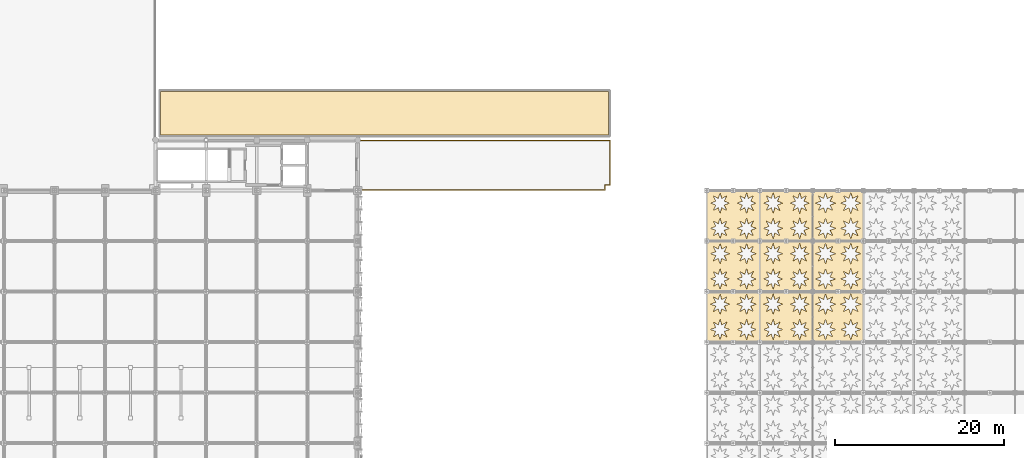
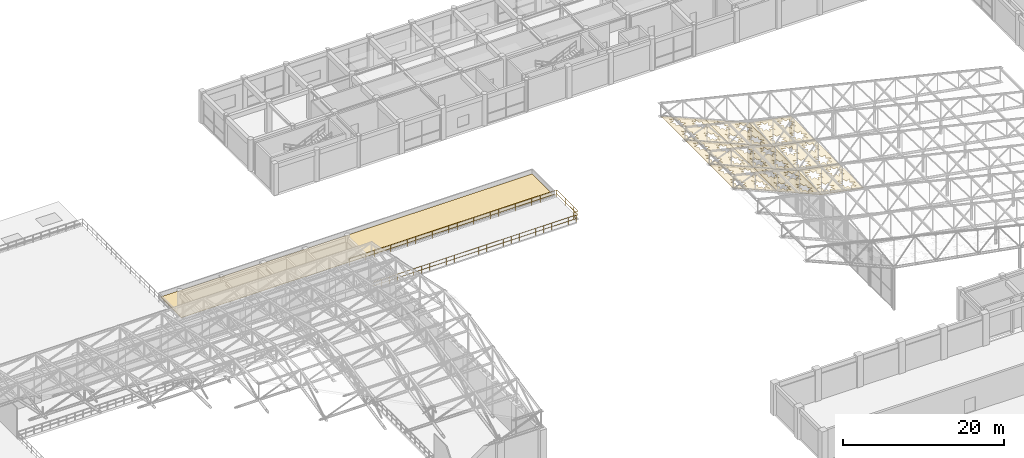
# One storey, part 109 of 112: 10 coverings, 1 railing.
"""IFC4 building model written with IfcOpenShell, lengths in metres."""

from ifc_helpers import new_model, si_unit, direction, frame, origin, origin_2d, place, context, subcontext, project, spatial, polyline, circle, outline, extrude, material, layer, layer_set, type_object, element, save


model = new_model("IFC4")

# Units and contexts
model_context = context("Model", 3, precision=1e-05, world=origin(), true_north=direction((0.0, 1.0)))
body_context = subcontext(model_context, "Body", "Model", "MODEL_VIEW")
ifc_project = project(units=[si_unit("LENGTHUNIT", "METRE"), si_unit("AREAUNIT", "SQUARE_METRE"), si_unit("VOLUMEUNIT", "CUBIC_METRE"), si_unit("PLANEANGLEUNIT", "RADIAN"), si_unit("MASSUNIT", "GRAM", prefix="KILO"), si_unit("THERMODYNAMICTEMPERATUREUNIT", "KELVIN"), si_unit("POWERUNIT", "WATT")], contexts=[model_context])

# Site, building, storey
site_placement = place(None, origin())
site = spatial("IfcSite", under=ifc_project, at=site_placement, CompositionType="ELEMENT")
building_placement = place(site_placement, origin())
building = spatial("IfcBuilding", under=site, at=building_placement, Name="Phaisarnlok Congress Hotel", CompositionType="ELEMENT")
storey_placement = place(building_placement, frame((0.0, 0.0, 19.800048828125)))
storey = spatial("IfcBuildingStorey", under=building, at=storey_placement, Name="L04", CompositionType="ELEMENT", Elevation=19.800048828125)

# Coverings
ifc_material_1 = material(Name="TPO Waterproofing Membrane & Rigid PIR Insulation", Category="other")
ifc_layer_1 = layer(ifc_material_1, 0.050048828125, Name="TPO Waterproofing Membrane & Rigid PIR Insulation")
ifc_layer_set_1 = layer_set([ifc_layer_1], Name="TPO Waterproofing Membrane & Rigid PIR Insulation")
covering_type_1 = type_object("IfcCoveringType", Name="COV-ROOF-MEMB", PredefinedType="ROOFING", material=ifc_layer_set_1)
covering_1_placement = place(storey_placement, origin())
element("IfcCovering", 1, at=covering_1_placement, inside=storey, type_object=covering_type_1, Name="Podium roof waterproofing membrane RF-01 (L04 pod_min_n)", PredefinedType="ROOFING", context=body_context, shape_type="SweptSolid", body=[
    extrude(outline(polyline([(42.590087890625, 90.590087890625), (95.75, 90.590087890625), (95.75, 95.75), (42.590087890625, 95.75), (42.590087890625, 90.590087890625)])), origin(), (0.0, 0.0, 1.0), 0.050048828125),
])
ifc_material_2 = material(Name="Perforated Acoustic Aluminium Soffit Panel", Category="aluminium")
ifc_layer_2 = layer(ifc_material_2, 0.044921875, Name="Perforated Acoustic Aluminium Soffit Panel")
ifc_layer_set_2 = layer_set([ifc_layer_2], Name="Perforated Acoustic Aluminium Soffit Panel")
covering_type_2 = type_object("IfcCoveringType", Name="COV-SOFFIT-STAR", PredefinedType="CLADDING", material=ifc_layer_set_2)
covering_2_placement = place(storey_placement, frame((126.0, 66.0, 5.353271484375), z_axis=(0.175030745743, 0.0, 0.984562968044), x_axis=(0.0, 1.0, 0.0)))
element("IfcCovering", 2, at=covering_2_placement, inside=storey, type_object=covering_type_2, Name="Cloister wing roof star-pierced acoustic soffit panel CL-01", PredefinedType="CLADDING", context=body_context, shape_type="SweptSolid", body=[
    extrude(outline(polyline([(0.0, 0.0), (6.0, 0.0), (6.0, 6.094074421585321), (0.0, 6.094074421585321), (0.0, 0.0)]), holes=[polyline([(2.0455, 1.2976), (2.3697, 0.6538), (1.7259, 0.9781), (1.5, 0.2935), (1.2741, 0.9781), (0.6303, 0.6538), (0.9545, 1.2976), (0.27, 1.5235), (0.9545, 1.7495), (0.6303, 2.3933), (1.2741, 2.069), (1.5, 2.7535), (1.7259, 2.069), (2.3697, 2.3933), (2.0455, 1.7495), (2.73, 1.5235), (2.0455, 1.2976)]), polyline([(2.0455, 4.3446), (2.3697, 3.7008), (1.7259, 4.0251), (1.5, 3.3406), (1.2741, 4.0251), (0.6303, 3.7008), (0.9545, 4.3446), (0.27, 4.5706), (0.9545, 4.7965), (0.6303, 5.4403), (1.2741, 5.116), (1.5, 5.8006), (1.7259, 5.116), (2.3697, 5.4403), (2.0455, 4.7965), (2.73, 4.5706), (2.0455, 4.3446)]), polyline([(5.0455, 1.2976), (5.3697, 0.6538), (4.7259, 0.9781), (4.5, 0.2935), (4.2741, 0.9781), (3.6303, 0.6538), (3.9545, 1.2976), (3.27, 1.5235), (3.9545, 1.7495), (3.6303, 2.3933), (4.2741, 2.069), (4.5, 2.7535), (4.7259, 2.069), (5.3697, 2.3933), (5.0455, 1.7495), (5.73, 1.5235), (5.0455, 1.2976)]), polyline([(5.0455, 4.3446), (5.3697, 3.7008), (4.7259, 4.0251), (4.5, 3.3406), (4.2741, 4.0251), (3.6303, 3.7008), (3.9545, 4.3446), (3.27, 4.5706), (3.9545, 4.7965), (3.6303, 5.4403), (4.2741, 5.116), (4.5, 5.8006), (4.7259, 5.116), (5.3697, 5.4403), (5.0455, 4.7965), (5.73, 4.5706), (5.0455, 4.3446)])]), origin(), (0.0, 0.0, 1.0), 0.044921875),
])
covering_3_placement = place(storey_placement, frame((120.0, 66.0, 6.419921875), z_axis=(0.393910700868, 0.0, 0.919148714704), x_axis=(0.0, 1.0, 0.0)))
element("IfcCovering", 3, at=covering_3_placement, inside=storey, type_object=covering_type_2, Name="Cloister wing roof star-pierced acoustic soffit panel CL-01", PredefinedType="CLADDING", context=body_context, shape_type="SweptSolid", body=[
    extrude(outline(polyline([(0.0, 0.0), (6.0, 0.0), (6.0, 6.854221441365048), (0.0, 6.854221441365048), (0.0, 0.0)]), holes=[polyline([(2.0455, 1.4876), (2.3697, 0.8438), (1.7259, 1.1681), (1.5, 0.4835), (1.2741, 1.1681), (0.6303, 0.8438), (0.9545, 1.4876), (0.27, 1.7135), (0.9545, 1.9395), (0.6303, 2.5833), (1.2741, 2.259), (1.5, 2.9435), (1.7259, 2.259), (2.3697, 2.5833), (2.0455, 1.9395), (2.73, 1.7135), (2.0455, 1.4876)]), polyline([(2.0455, 4.9147), (2.3697, 4.2709), (1.7259, 4.5952), (1.5, 3.9106), (1.2741, 4.5952), (0.6303, 4.2709), (0.9545, 4.9147), (0.27, 5.1406), (0.9545, 5.3666), (0.6303, 6.0104), (1.2741, 5.6861), (1.5, 6.3706), (1.7259, 5.6861), (2.3697, 6.0104), (2.0455, 5.3666), (2.73, 5.1406), (2.0455, 4.9147)]), polyline([(5.0455, 1.4876), (5.3697, 0.8438), (4.7259, 1.1681), (4.5, 0.4835), (4.2741, 1.1681), (3.6303, 0.8438), (3.9545, 1.4876), (3.27, 1.7135), (3.9545, 1.9395), (3.6303, 2.5833), (4.2741, 2.259), (4.5, 2.9435), (4.7259, 2.259), (5.3697, 2.5833), (5.0455, 1.9395), (5.73, 1.7135), (5.0455, 1.4876)]), polyline([(5.0455, 4.9147), (5.3697, 4.2709), (4.7259, 4.5952), (4.5, 3.9106), (4.2741, 4.5952), (3.6303, 4.2709), (3.9545, 4.9147), (3.27, 5.1406), (3.9545, 5.3666), (3.6303, 6.0104), (4.2741, 5.6861), (4.5, 6.3706), (4.7259, 5.6861), (5.3697, 6.0104), (5.0455, 5.3666), (5.73, 5.1406), (5.0455, 4.9147)])]), origin(), (0.0, 0.0, 1.0), 0.044921875),
])
covering_4_placement = place(storey_placement, frame((113.699951171875, 66.0, 9.119873046875), z_axis=(0.393940792404, 0.0, 0.919135818081), x_axis=(0.0, 1.0, 0.0)))
element("IfcCovering", 4, at=covering_4_placement, inside=storey, type_object=covering_type_2, Name="Cloister wing roof star-pierced acoustic soffit panel CL-01", PredefinedType="CLADDING", context=body_context, shape_type="SweptSolid", body=[
    extrude(outline(polyline([(0.0, 0.0), (6.0, 0.0), (6.0, 6.854317614643062), (0.0, 6.854317614643062), (0.0, 0.0)]), holes=[polyline([(2.0455, 1.4876), (2.3697, 0.8438), (1.7259, 1.1681), (1.5, 0.4835), (1.2741, 1.1681), (0.6303, 0.8438), (0.9545, 1.4876), (0.27, 1.7135), (0.9545, 1.9395), (0.6303, 2.5833), (1.2741, 2.259), (1.5, 2.9435), (1.7259, 2.259), (2.3697, 2.5833), (2.0455, 1.9395), (2.73, 1.7135), (2.0455, 1.4876)]), polyline([(2.0455, 4.9147), (2.3697, 4.2709), (1.7259, 4.5952), (1.5, 3.9106), (1.2741, 4.5952), (0.6303, 4.2709), (0.9545, 4.9147), (0.27, 5.1406), (0.9545, 5.3666), (0.6303, 6.0104), (1.2741, 5.6861), (1.5, 6.3706), (1.7259, 5.6861), (2.3697, 6.0104), (2.0455, 5.3666), (2.73, 5.1406), (2.0455, 4.9147)]), polyline([(5.0455, 1.4876), (5.3697, 0.8438), (4.7259, 1.1681), (4.5, 0.4835), (4.2741, 1.1681), (3.6303, 0.8438), (3.9545, 1.4876), (3.27, 1.7135), (3.9545, 1.9395), (3.6303, 2.5833), (4.2741, 2.259), (4.5, 2.9435), (4.7259, 2.259), (5.3697, 2.5833), (5.0455, 1.9395), (5.73, 1.7135), (5.0455, 1.4876)]), polyline([(5.0455, 4.9147), (5.3697, 4.2709), (4.7259, 4.5952), (4.5, 3.9106), (4.2741, 4.5952), (3.6303, 4.2709), (3.9545, 4.9147), (3.27, 5.1406), (3.9545, 5.3666), (3.6303, 6.0104), (4.2741, 5.6861), (4.5, 6.3706), (4.7259, 5.6861), (5.3697, 6.0104), (5.0455, 5.3666), (5.73, 5.1406), (5.0455, 4.9147)])]), origin(), (0.0, 0.0, 1.0), 0.044921875),
])
covering_5_placement = place(storey_placement, frame((126.0, 72.0, 5.353271484375), z_axis=(0.175030745743, 0.0, 0.984562968044), x_axis=(0.0, 1.0, 0.0)))
element("IfcCovering", 5, at=covering_5_placement, inside=storey, type_object=covering_type_2, Name="Cloister wing roof star-pierced acoustic soffit panel CL-01", PredefinedType="CLADDING", context=body_context, shape_type="SweptSolid", body=[
    extrude(outline(polyline([(0.0, 0.0), (6.0, 0.0), (6.0, 6.094074421585321), (0.0, 6.094074421585321), (0.0, 0.0)]), holes=[polyline([(2.0455, 1.2976), (2.3697, 0.6538), (1.7259, 0.9781), (1.5, 0.2935), (1.2741, 0.9781), (0.6303, 0.6538), (0.9545, 1.2976), (0.27, 1.5235), (0.9545, 1.7495), (0.6303, 2.3933), (1.2741, 2.069), (1.5, 2.7535), (1.7259, 2.069), (2.3697, 2.3933), (2.0455, 1.7495), (2.73, 1.5235), (2.0455, 1.2976)]), polyline([(2.0455, 4.3446), (2.3697, 3.7008), (1.7259, 4.0251), (1.5, 3.3406), (1.2741, 4.0251), (0.6303, 3.7008), (0.9545, 4.3446), (0.27, 4.5706), (0.9545, 4.7965), (0.6303, 5.4403), (1.2741, 5.116), (1.5, 5.8006), (1.7259, 5.116), (2.3697, 5.4403), (2.0455, 4.7965), (2.73, 4.5706), (2.0455, 4.3446)]), polyline([(5.0455, 1.2976), (5.3697, 0.6538), (4.7259, 0.9781), (4.5, 0.2935), (4.2741, 0.9781), (3.6303, 0.6538), (3.9545, 1.2976), (3.27, 1.5235), (3.9545, 1.7495), (3.6303, 2.3933), (4.2741, 2.069), (4.5, 2.7535), (4.7259, 2.069), (5.3697, 2.3933), (5.0455, 1.7495), (5.73, 1.5235), (5.0455, 1.2976)]), polyline([(5.0455, 4.3446), (5.3697, 3.7008), (4.7259, 4.0251), (4.5, 3.3406), (4.2741, 4.0251), (3.6303, 3.7008), (3.9545, 4.3446), (3.27, 4.5706), (3.9545, 4.7965), (3.6303, 5.4403), (4.2741, 5.116), (4.5, 5.8006), (4.7259, 5.116), (5.3697, 5.4403), (5.0455, 4.7965), (5.73, 4.5706), (5.0455, 4.3446)])]), origin(), (0.0, 0.0, 1.0), 0.044921875),
])
covering_6_placement = place(storey_placement, frame((120.0, 72.0, 6.419921875), z_axis=(0.393910700868, 0.0, 0.919148714704), x_axis=(0.0, 1.0, 0.0)))
element("IfcCovering", 6, at=covering_6_placement, inside=storey, type_object=covering_type_2, Name="Cloister wing roof star-pierced acoustic soffit panel CL-01", PredefinedType="CLADDING", context=body_context, shape_type="SweptSolid", body=[
    extrude(outline(polyline([(0.0, 0.0), (6.0, 0.0), (6.0, 6.854221441365048), (0.0, 6.854221441365048), (0.0, 0.0)]), holes=[polyline([(2.0455, 1.4876), (2.3697, 0.8438), (1.7259, 1.1681), (1.5, 0.4835), (1.2741, 1.1681), (0.6303, 0.8438), (0.9545, 1.4876), (0.27, 1.7135), (0.9545, 1.9395), (0.6303, 2.5833), (1.2741, 2.259), (1.5, 2.9435), (1.7259, 2.259), (2.3697, 2.5833), (2.0455, 1.9395), (2.73, 1.7135), (2.0455, 1.4876)]), polyline([(2.0455, 4.9147), (2.3697, 4.2709), (1.7259, 4.5952), (1.5, 3.9106), (1.2741, 4.5952), (0.6303, 4.2709), (0.9545, 4.9147), (0.27, 5.1406), (0.9545, 5.3666), (0.6303, 6.0104), (1.2741, 5.6861), (1.5, 6.3706), (1.7259, 5.6861), (2.3697, 6.0104), (2.0455, 5.3666), (2.73, 5.1406), (2.0455, 4.9147)]), polyline([(5.0455, 1.4876), (5.3697, 0.8438), (4.7259, 1.1681), (4.5, 0.4835), (4.2741, 1.1681), (3.6303, 0.8438), (3.9545, 1.4876), (3.27, 1.7135), (3.9545, 1.9395), (3.6303, 2.5833), (4.2741, 2.259), (4.5, 2.9435), (4.7259, 2.259), (5.3697, 2.5833), (5.0455, 1.9395), (5.73, 1.7135), (5.0455, 1.4876)]), polyline([(5.0455, 4.9147), (5.3697, 4.2709), (4.7259, 4.5952), (4.5, 3.9106), (4.2741, 4.5952), (3.6303, 4.2709), (3.9545, 4.9147), (3.27, 5.1406), (3.9545, 5.3666), (3.6303, 6.0104), (4.2741, 5.6861), (4.5, 6.3706), (4.7259, 5.6861), (5.3697, 6.0104), (5.0455, 5.3666), (5.73, 5.1406), (5.0455, 4.9147)])]), origin(), (0.0, 0.0, 1.0), 0.044921875),
])
covering_7_placement = place(storey_placement, frame((113.699951171875, 72.0, 9.119873046875), z_axis=(0.393940792404, 0.0, 0.919135818081), x_axis=(0.0, 1.0, 0.0)))
element("IfcCovering", 7, at=covering_7_placement, inside=storey, type_object=covering_type_2, Name="Cloister wing roof star-pierced acoustic soffit panel CL-01", PredefinedType="CLADDING", context=body_context, shape_type="SweptSolid", body=[
    extrude(outline(polyline([(0.0, 0.0), (6.0, 0.0), (6.0, 6.854317614643062), (0.0, 6.854317614643062), (0.0, 0.0)]), holes=[polyline([(2.0455, 1.4876), (2.3697, 0.8438), (1.7259, 1.1681), (1.5, 0.4835), (1.2741, 1.1681), (0.6303, 0.8438), (0.9545, 1.4876), (0.27, 1.7135), (0.9545, 1.9395), (0.6303, 2.5833), (1.2741, 2.259), (1.5, 2.9435), (1.7259, 2.259), (2.3697, 2.5833), (2.0455, 1.9395), (2.73, 1.7135), (2.0455, 1.4876)]), polyline([(2.0455, 4.9147), (2.3697, 4.2709), (1.7259, 4.5952), (1.5, 3.9106), (1.2741, 4.5952), (0.6303, 4.2709), (0.9545, 4.9147), (0.27, 5.1406), (0.9545, 5.3666), (0.6303, 6.0104), (1.2741, 5.6861), (1.5, 6.3706), (1.7259, 5.6861), (2.3697, 6.0104), (2.0455, 5.3666), (2.73, 5.1406), (2.0455, 4.9147)]), polyline([(5.0455, 1.4876), (5.3697, 0.8438), (4.7259, 1.1681), (4.5, 0.4835), (4.2741, 1.1681), (3.6303, 0.8438), (3.9545, 1.4876), (3.27, 1.7135), (3.9545, 1.9395), (3.6303, 2.5833), (4.2741, 2.259), (4.5, 2.9435), (4.7259, 2.259), (5.3697, 2.5833), (5.0455, 1.9395), (5.73, 1.7135), (5.0455, 1.4876)]), polyline([(5.0455, 4.9147), (5.3697, 4.2709), (4.7259, 4.5952), (4.5, 3.9106), (4.2741, 4.5952), (3.6303, 4.2709), (3.9545, 4.9147), (3.27, 5.1406), (3.9545, 5.3666), (3.6303, 6.0104), (4.2741, 5.6861), (4.5, 6.3706), (4.7259, 5.6861), (5.3697, 6.0104), (5.0455, 5.3666), (5.73, 5.1406), (5.0455, 4.9147)])]), origin(), (0.0, 0.0, 1.0), 0.044921875),
])
covering_8_placement = place(storey_placement, frame((126.0, 78.0, 5.353271484375), z_axis=(0.175030745743, 0.0, 0.984562968044), x_axis=(0.0, 1.0, 0.0)))
element("IfcCovering", 8, at=covering_8_placement, inside=storey, type_object=covering_type_2, Name="Cloister wing roof star-pierced acoustic soffit panel CL-01", PredefinedType="CLADDING", context=body_context, shape_type="SweptSolid", body=[
    extrude(outline(polyline([(0.0, 0.0), (6.0, 0.0), (6.0, 6.094074421585321), (0.0, 6.094074421585321), (0.0, 0.0)]), holes=[polyline([(2.0455, 1.2976), (2.3697, 0.6538), (1.7259, 0.9781), (1.5, 0.2935), (1.2741, 0.9781), (0.6303, 0.6538), (0.9545, 1.2976), (0.27, 1.5235), (0.9545, 1.7495), (0.6303, 2.3933), (1.2741, 2.069), (1.5, 2.7535), (1.7259, 2.069), (2.3697, 2.3933), (2.0455, 1.7495), (2.73, 1.5235), (2.0455, 1.2976)]), polyline([(2.0455, 4.3446), (2.3697, 3.7008), (1.7259, 4.0251), (1.5, 3.3406), (1.2741, 4.0251), (0.6303, 3.7008), (0.9545, 4.3446), (0.27, 4.5706), (0.9545, 4.7965), (0.6303, 5.4403), (1.2741, 5.116), (1.5, 5.8006), (1.7259, 5.116), (2.3697, 5.4403), (2.0455, 4.7965), (2.73, 4.5706), (2.0455, 4.3446)]), polyline([(5.0455, 1.2976), (5.3697, 0.6538), (4.7259, 0.9781), (4.5, 0.2935), (4.2741, 0.9781), (3.6303, 0.6538), (3.9545, 1.2976), (3.27, 1.5235), (3.9545, 1.7495), (3.6303, 2.3933), (4.2741, 2.069), (4.5, 2.7535), (4.7259, 2.069), (5.3697, 2.3933), (5.0455, 1.7495), (5.73, 1.5235), (5.0455, 1.2976)]), polyline([(5.0455, 4.3446), (5.3697, 3.7008), (4.7259, 4.0251), (4.5, 3.3406), (4.2741, 4.0251), (3.6303, 3.7008), (3.9545, 4.3446), (3.27, 4.5706), (3.9545, 4.7965), (3.6303, 5.4403), (4.2741, 5.116), (4.5, 5.8006), (4.7259, 5.116), (5.3697, 5.4403), (5.0455, 4.7965), (5.73, 4.5706), (5.0455, 4.3446)])]), origin(), (0.0, 0.0, 1.0), 0.044921875),
])
covering_9_placement = place(storey_placement, frame((120.0, 78.0, 6.419921875), z_axis=(0.393910700868, 0.0, 0.919148714704), x_axis=(0.0, 1.0, 0.0)))
element("IfcCovering", 9, at=covering_9_placement, inside=storey, type_object=covering_type_2, Name="Cloister wing roof star-pierced acoustic soffit panel CL-01", PredefinedType="CLADDING", context=body_context, shape_type="SweptSolid", body=[
    extrude(outline(polyline([(0.0, 0.0), (6.0, 0.0), (6.0, 6.854221441365048), (0.0, 6.854221441365048), (0.0, 0.0)]), holes=[polyline([(2.0455, 1.4876), (2.3697, 0.8438), (1.7259, 1.1681), (1.5, 0.4835), (1.2741, 1.1681), (0.6303, 0.8438), (0.9545, 1.4876), (0.27, 1.7135), (0.9545, 1.9395), (0.6303, 2.5833), (1.2741, 2.259), (1.5, 2.9435), (1.7259, 2.259), (2.3697, 2.5833), (2.0455, 1.9395), (2.73, 1.7135), (2.0455, 1.4876)]), polyline([(2.0455, 4.9147), (2.3697, 4.2709), (1.7259, 4.5952), (1.5, 3.9106), (1.2741, 4.5952), (0.6303, 4.2709), (0.9545, 4.9147), (0.27, 5.1406), (0.9545, 5.3666), (0.6303, 6.0104), (1.2741, 5.6861), (1.5, 6.3706), (1.7259, 5.6861), (2.3697, 6.0104), (2.0455, 5.3666), (2.73, 5.1406), (2.0455, 4.9147)]), polyline([(5.0455, 1.4876), (5.3697, 0.8438), (4.7259, 1.1681), (4.5, 0.4835), (4.2741, 1.1681), (3.6303, 0.8438), (3.9545, 1.4876), (3.27, 1.7135), (3.9545, 1.9395), (3.6303, 2.5833), (4.2741, 2.259), (4.5, 2.9435), (4.7259, 2.259), (5.3697, 2.5833), (5.0455, 1.9395), (5.73, 1.7135), (5.0455, 1.4876)]), polyline([(5.0455, 4.9147), (5.3697, 4.2709), (4.7259, 4.5952), (4.5, 3.9106), (4.2741, 4.5952), (3.6303, 4.2709), (3.9545, 4.9147), (3.27, 5.1406), (3.9545, 5.3666), (3.6303, 6.0104), (4.2741, 5.6861), (4.5, 6.3706), (4.7259, 5.6861), (5.3697, 6.0104), (5.0455, 5.3666), (5.73, 5.1406), (5.0455, 4.9147)])]), origin(), (0.0, 0.0, 1.0), 0.044921875),
])
covering_10_placement = place(storey_placement, frame((113.699951171875, 78.0, 9.119873046875), z_axis=(0.393940792404, 0.0, 0.919135818081), x_axis=(0.0, 1.0, 0.0)))
element("IfcCovering", 10, at=covering_10_placement, inside=storey, type_object=covering_type_2, Name="Cloister wing roof star-pierced acoustic soffit panel CL-01", PredefinedType="CLADDING", context=body_context, shape_type="SweptSolid", body=[
    extrude(outline(polyline([(0.0, 0.0), (6.0, 0.0), (6.0, 6.854317614643062), (0.0, 6.854317614643062), (0.0, 0.0)]), holes=[polyline([(2.0455, 1.4876), (2.3697, 0.8438), (1.7259, 1.1681), (1.5, 0.4835), (1.2741, 1.1681), (0.6303, 0.8438), (0.9545, 1.4876), (0.27, 1.7135), (0.9545, 1.9395), (0.6303, 2.5833), (1.2741, 2.259), (1.5, 2.9435), (1.7259, 2.259), (2.3697, 2.5833), (2.0455, 1.9395), (2.73, 1.7135), (2.0455, 1.4876)]), polyline([(2.0455, 4.9147), (2.3697, 4.2709), (1.7259, 4.5952), (1.5, 3.9106), (1.2741, 4.5952), (0.6303, 4.2709), (0.9545, 4.9147), (0.27, 5.1406), (0.9545, 5.3666), (0.6303, 6.0104), (1.2741, 5.6861), (1.5, 6.3706), (1.7259, 5.6861), (2.3697, 6.0104), (2.0455, 5.3666), (2.73, 5.1406), (2.0455, 4.9147)]), polyline([(5.0455, 1.4876), (5.3697, 0.8438), (4.7259, 1.1681), (4.5, 0.4835), (4.2741, 1.1681), (3.6303, 0.8438), (3.9545, 1.4876), (3.27, 1.7135), (3.9545, 1.9395), (3.6303, 2.5833), (4.2741, 2.259), (4.5, 2.9435), (4.7259, 2.259), (5.3697, 2.5833), (5.0455, 1.9395), (5.73, 1.7135), (5.0455, 1.4876)]), polyline([(5.0455, 4.9147), (5.3697, 4.2709), (4.7259, 4.5952), (4.5, 3.9106), (4.2741, 4.5952), (3.6303, 4.2709), (3.9545, 4.9147), (3.27, 5.1406), (3.9545, 5.3666), (3.6303, 6.0104), (4.2741, 5.6861), (4.5, 6.3706), (4.7259, 5.6861), (5.3697, 6.0104), (5.0455, 5.3666), (5.73, 5.1406), (5.0455, 4.9147)])]), origin(), (0.0, 0.0, 1.0), 0.044921875),
])

# Railing
ifc_material_3 = material(Name="Laminated Glass & Stainless Steel Grade 316", Category="steel")
railing_type = type_object("IfcRailingType", Name="RLG-TER-1100", PredefinedType="BALUSTRADE", material=ifc_material_3)
railing_placement = place(storey_placement, frame((66.239990234375, 89.93994140625, 0.0)))
element("IfcRailing", 11, at=railing_placement, inside=storey, type_object=railing_type, Name="Terrace balustrade guard GD-01 (L04 cloister_terrace_n)", PredefinedType="BALUSTRADE", context=body_context, shape_type="SweptSolid", body=[
    extrude(circle(Radius=0.02392578125, at=origin_2d()), frame((0.0, 0.0, 1.076171875), z_axis=(1.0, 0.0, 0.0), x_axis=(0.0, 1.0, 0.0)), (0.0, 0.0, 1.0), 29.699951171875),
    extrude(circle(Radius=0.02392578125, at=origin_2d()), frame((0.0, 0.0, 0.52587890625), z_axis=(1.0, 0.0, 0.0), x_axis=(0.0, 1.0, 0.0)), (0.0, 0.0, 1.0), 29.699951171875),
    extrude(circle(Radius=0.02392578125, at=origin_2d()), frame((29.699951171875, 0.0, 1.076171875), z_axis=(0.0, -1.0, 0.0), x_axis=(1.0, 0.0, 0.0)), (0.0, 0.0, 1.0), 5.280029296875),
    extrude(circle(Radius=0.02392578125, at=origin_2d()), frame((29.699951171875, 0.0, 0.52587890625), z_axis=(0.0, -1.0, 0.0), x_axis=(1.0, 0.0, 0.0)), (0.0, 0.0, 1.0), 5.280029296875),
    extrude(circle(Radius=0.02392578125, at=origin_2d()), frame((29.699951171875, -5.280029296875, 1.076171875), z_axis=(-1.0, 0.0, 0.0), x_axis=(0.0, -1.0, 0.0)), (0.0, 0.0, 1.0), 0.599853515625),
    extrude(circle(Radius=0.02392578125, at=origin_2d()), frame((29.699951171875, -5.280029296875, 0.52587890625), z_axis=(-1.0, 0.0, 0.0), x_axis=(0.0, -1.0, 0.0)), (0.0, 0.0, 1.0), 0.599853515625),
    extrude(circle(Radius=0.02392578125, at=origin_2d()), frame((29.10009765625, -5.280029296875, 1.076171875), z_axis=(0.0, -1.0, 0.0), x_axis=(1.0, 0.0, 0.0)), (0.0, 0.0, 1.0), 0.599853515625),
    extrude(circle(Radius=0.02392578125, at=origin_2d()), frame((29.10009765625, -5.280029296875, 0.52587890625), z_axis=(0.0, -1.0, 0.0), x_axis=(1.0, 0.0, 0.0)), (0.0, 0.0, 1.0), 0.599853515625),
    extrude(circle(Radius=0.02392578125, at=origin_2d()), frame((29.10009765625, -5.8798828125, 1.076171875), z_axis=(-1.0, 0.0, 0.0), x_axis=(0.0, -1.0, 0.0)), (0.0, 0.0, 1.0), 29.10009765625),
    extrude(circle(Radius=0.02392578125, at=origin_2d()), frame((29.10009765625, -5.8798828125, 0.52587890625), z_axis=(-1.0, 0.0, 0.0), x_axis=(0.0, -1.0, 0.0)), (0.0, 0.0, 1.0), 29.10009765625),
    extrude(circle(Radius=0.02099609375, at=origin_2d()), origin(), (0.0, 0.0, 1.0), 1.052001953125),
    extrude(circle(Radius=0.02099609375, at=origin_2d()), frame((1.18798828125, 0.0, 0.0)), (0.0, 0.0, 1.0), 1.052001953125),
    extrude(circle(Radius=0.02099609375, at=origin_2d()), frame((2.3759765625, 0.0, 0.0)), (0.0, 0.0, 1.0), 1.052001953125),
    extrude(circle(Radius=0.02099609375, at=origin_2d()), frame((3.56396484375, 0.0, 0.0)), (0.0, 0.0, 1.0), 1.052001953125),
    extrude(circle(Radius=0.02099609375, at=origin_2d()), frame((4.751953125, 0.0, 0.0)), (0.0, 0.0, 1.0), 1.052001953125),
    extrude(circle(Radius=0.02099609375, at=origin_2d()), frame((5.93994140625, 0.0, 0.0)), (0.0, 0.0, 1.0), 1.052001953125),
    extrude(circle(Radius=0.02099609375, at=origin_2d()), frame((7.1279296875, 0.0, 0.0)), (0.0, 0.0, 1.0), 1.052001953125),
    extrude(circle(Radius=0.02099609375, at=origin_2d()), frame((8.31591796875, 0.0, 0.0)), (0.0, 0.0, 1.0), 1.052001953125),
    extrude(circle(Radius=0.02099609375, at=origin_2d()), frame((9.50390625, 0.0, 0.0)), (0.0, 0.0, 1.0), 1.052001953125),
    extrude(circle(Radius=0.02099609375, at=origin_2d()), frame((10.69189453125, 0.0, 0.0)), (0.0, 0.0, 1.0), 1.052001953125),
    extrude(circle(Radius=0.02099609375, at=origin_2d()), frame((11.8798828125, 0.0, 0.0)), (0.0, 0.0, 1.0), 1.052001953125),
    extrude(circle(Radius=0.02099609375, at=origin_2d()), frame((13.06787109375, 0.0, 0.0)), (0.0, 0.0, 1.0), 1.052001953125),
    extrude(circle(Radius=0.02099609375, at=origin_2d()), frame((14.255859375, 0.0, 0.0)), (0.0, 0.0, 1.0), 1.052001953125),
    extrude(circle(Radius=0.02099609375, at=origin_2d()), frame((15.444091796875, 0.0, 0.0)), (0.0, 0.0, 1.0), 1.052001953125),
    extrude(circle(Radius=0.02099609375, at=origin_2d()), frame((16.632080078125, 0.0, 0.0)), (0.0, 0.0, 1.0), 1.052001953125),
    extrude(circle(Radius=0.02099609375, at=origin_2d()), frame((17.820068359375, 0.0, 0.0)), (0.0, 0.0, 1.0), 1.052001953125),
    extrude(circle(Radius=0.02099609375, at=origin_2d()), frame((19.008056640625, 0.0, 0.0)), (0.0, 0.0, 1.0), 1.052001953125),
    extrude(circle(Radius=0.02099609375, at=origin_2d()), frame((20.196044921875, 0.0, 0.0)), (0.0, 0.0, 1.0), 1.052001953125),
    extrude(circle(Radius=0.02099609375, at=origin_2d()), frame((21.384033203125, 0.0, 0.0)), (0.0, 0.0, 1.0), 1.052001953125),
    extrude(circle(Radius=0.02099609375, at=origin_2d()), frame((22.572021484375, 0.0, 0.0)), (0.0, 0.0, 1.0), 1.052001953125),
    extrude(circle(Radius=0.02099609375, at=origin_2d()), frame((23.760009765625, 0.0, 0.0)), (0.0, 0.0, 1.0), 1.052001953125),
    extrude(circle(Radius=0.02099609375, at=origin_2d()), frame((24.947998046875, 0.0, 0.0)), (0.0, 0.0, 1.0), 1.052001953125),
    extrude(circle(Radius=0.02099609375, at=origin_2d()), frame((26.135986328125, 0.0, 0.0)), (0.0, 0.0, 1.0), 1.052001953125),
    extrude(circle(Radius=0.02099609375, at=origin_2d()), frame((27.323974609375, 0.0, 0.0)), (0.0, 0.0, 1.0), 1.052001953125),
    extrude(circle(Radius=0.02099609375, at=origin_2d()), frame((28.511962890625, 0.0, 0.0)), (0.0, 0.0, 1.0), 1.052001953125),
    extrude(circle(Radius=0.02099609375, at=origin_2d()), frame((29.699951171875, 0.0, 0.0)), (0.0, 0.0, 1.0), 1.052001953125),
    extrude(circle(Radius=0.02099609375, at=origin_2d()), frame((29.699951171875, -1.055908203125, 0.0)), (0.0, 0.0, 1.0), 1.052001953125),
    extrude(circle(Radius=0.02099609375, at=origin_2d()), frame((29.699951171875, -2.112060546875, 0.0)), (0.0, 0.0, 1.0), 1.052001953125),
    extrude(circle(Radius=0.02099609375, at=origin_2d()), frame((29.699951171875, -3.16796875, 0.0)), (0.0, 0.0, 1.0), 1.052001953125),
    extrude(circle(Radius=0.02099609375, at=origin_2d()), frame((29.699951171875, -4.22412109375, 0.0)), (0.0, 0.0, 1.0), 1.052001953125),
    extrude(circle(Radius=0.02099609375, at=origin_2d()), frame((29.699951171875, -5.280029296875, 0.0)), (0.0, 0.0, 1.0), 1.052001953125),
    extrude(circle(Radius=0.02099609375, at=origin_2d()), frame((29.10009765625, -5.280029296875, 0.0)), (0.0, 0.0, 1.0), 1.052001953125),
    extrude(circle(Radius=0.02099609375, at=origin_2d()), frame((29.10009765625, -5.8798828125, 0.0)), (0.0, 0.0, 1.0), 1.052001953125),
    extrude(circle(Radius=0.02099609375, at=origin_2d()), frame((27.93603515625, -5.8798828125, 0.0)), (0.0, 0.0, 1.0), 1.052001953125),
    extrude(circle(Radius=0.02099609375, at=origin_2d()), frame((26.77197265625, -5.8798828125, 0.0)), (0.0, 0.0, 1.0), 1.052001953125),
    extrude(circle(Radius=0.02099609375, at=origin_2d()), frame((25.608154296875, -5.8798828125, 0.0)), (0.0, 0.0, 1.0), 1.052001953125),
    extrude(circle(Radius=0.02099609375, at=origin_2d()), frame((24.444091796875, -5.8798828125, 0.0)), (0.0, 0.0, 1.0), 1.052001953125),
    extrude(circle(Radius=0.02099609375, at=origin_2d()), frame((23.280029296875, -5.8798828125, 0.0)), (0.0, 0.0, 1.0), 1.052001953125),
    extrude(circle(Radius=0.02099609375, at=origin_2d()), frame((22.115966796875, -5.8798828125, 0.0)), (0.0, 0.0, 1.0), 1.052001953125),
    extrude(circle(Radius=0.02099609375, at=origin_2d()), frame((20.9521484375, -5.8798828125, 0.0)), (0.0, 0.0, 1.0), 1.052001953125),
    extrude(circle(Radius=0.02099609375, at=origin_2d()), frame((19.7880859375, -5.8798828125, 0.0)), (0.0, 0.0, 1.0), 1.052001953125),
    extrude(circle(Radius=0.02099609375, at=origin_2d()), frame((18.6240234375, -5.8798828125, 0.0)), (0.0, 0.0, 1.0), 1.052001953125),
    extrude(circle(Radius=0.02099609375, at=origin_2d()), frame((17.4599609375, -5.8798828125, 0.0)), (0.0, 0.0, 1.0), 1.052001953125),
    extrude(circle(Radius=0.02099609375, at=origin_2d()), frame((16.296142578125, -5.8798828125, 0.0)), (0.0, 0.0, 1.0), 1.052001953125),
    extrude(circle(Radius=0.02099609375, at=origin_2d()), frame((15.132080078125, -5.8798828125, 0.0)), (0.0, 0.0, 1.0), 1.052001953125),
    extrude(circle(Radius=0.02099609375, at=origin_2d()), frame((13.968017578125, -5.8798828125, 0.0)), (0.0, 0.0, 1.0), 1.052001953125),
    extrude(circle(Radius=0.02099609375, at=origin_2d()), frame((12.803955078125, -5.8798828125, 0.0)), (0.0, 0.0, 1.0), 1.052001953125),
    extrude(circle(Radius=0.02099609375, at=origin_2d()), frame((11.64013671875, -5.8798828125, 0.0)), (0.0, 0.0, 1.0), 1.052001953125),
    extrude(circle(Radius=0.02099609375, at=origin_2d()), frame((10.47607421875, -5.8798828125, 0.0)), (0.0, 0.0, 1.0), 1.052001953125),
    extrude(circle(Radius=0.02099609375, at=origin_2d()), frame((9.31201171875, -5.8798828125, 0.0)), (0.0, 0.0, 1.0), 1.052001953125),
    extrude(circle(Radius=0.02099609375, at=origin_2d()), frame((8.14794921875, -5.8798828125, 0.0)), (0.0, 0.0, 1.0), 1.052001953125),
    extrude(circle(Radius=0.02099609375, at=origin_2d()), frame((6.984130859375, -5.8798828125, 0.0)), (0.0, 0.0, 1.0), 1.052001953125),
    extrude(circle(Radius=0.02099609375, at=origin_2d()), frame((5.820068359375, -5.8798828125, 0.0)), (0.0, 0.0, 1.0), 1.052001953125),
    extrude(circle(Radius=0.02099609375, at=origin_2d()), frame((4.656005859375, -5.8798828125, 0.0)), (0.0, 0.0, 1.0), 1.052001953125),
    extrude(circle(Radius=0.02099609375, at=origin_2d()), frame((3.491943359375, -5.8798828125, 0.0)), (0.0, 0.0, 1.0), 1.052001953125),
    extrude(circle(Radius=0.02099609375, at=origin_2d()), frame((2.328125, -5.8798828125, 0.0)), (0.0, 0.0, 1.0), 1.052001953125),
    extrude(circle(Radius=0.02099609375, at=origin_2d()), frame((1.1640625, -5.8798828125, 0.0)), (0.0, 0.0, 1.0), 1.052001953125),
    extrude(circle(Radius=0.02099609375, at=origin_2d()), frame((0.0, -5.8798828125, 0.0)), (0.0, 0.0, 1.0), 1.052001953125),
])

save(model, "model.ifc")
